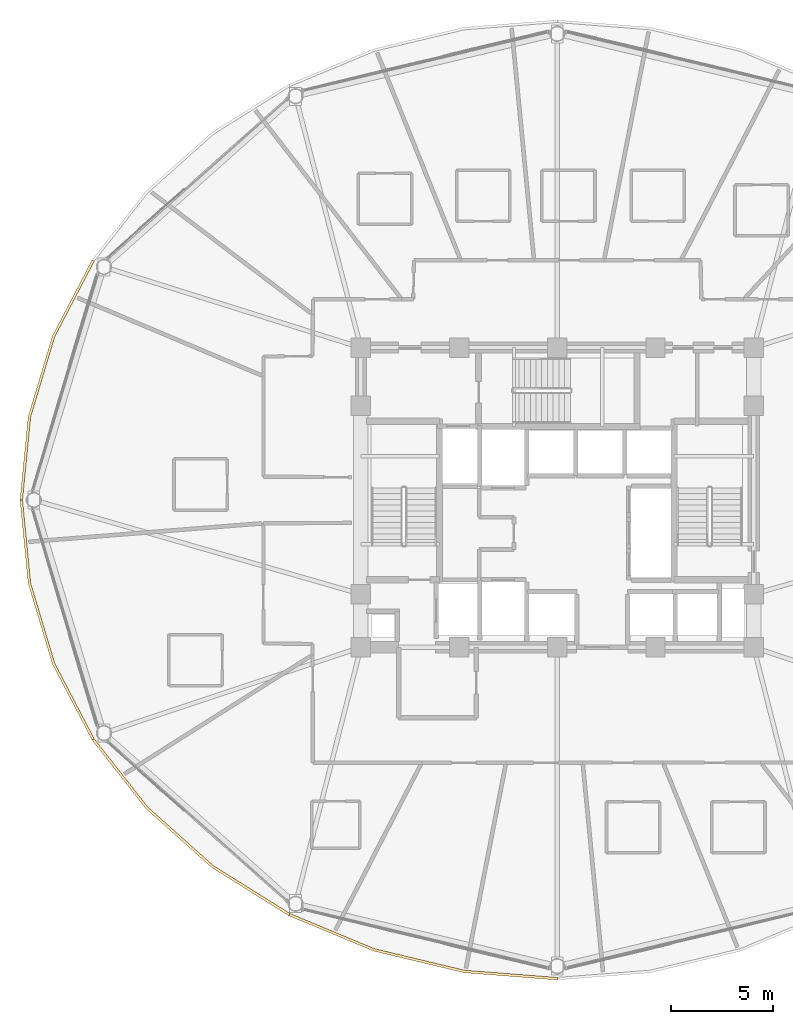
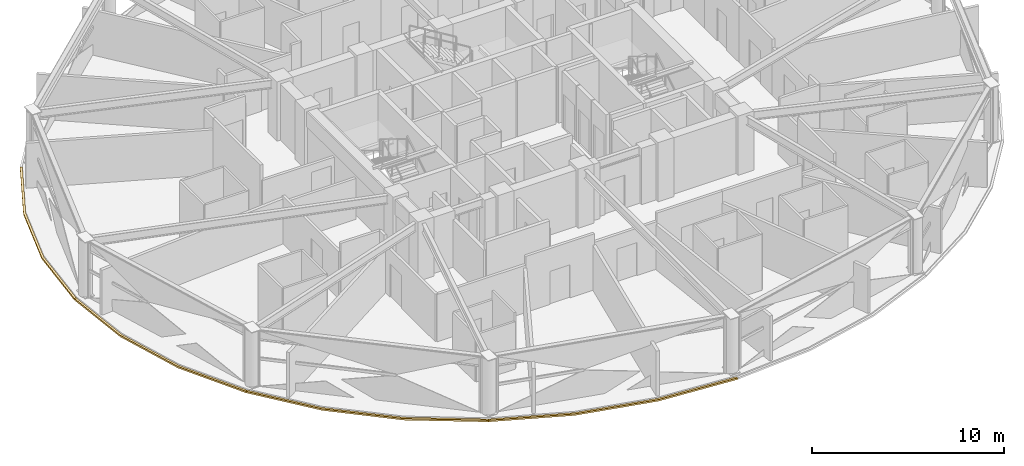
# One storey, part 29 of 32: 4 coverings.
"""IFC4 building model written with IfcOpenShell, lengths in metres."""

from ifc_helpers import new_model, si_unit, direction, frame, origin, place, context, subcontext, project, spatial, polyline, outline, extrude, material, layer, layer_set, type_object, element, save


model = new_model("IFC4")

# Units and contexts
model_context = context("Model", 3, precision=1e-05, world=origin(), true_north=direction((0.0, 1.0)))
body_context = subcontext(model_context, "Body", "Model", "MODEL_VIEW")
ifc_project = project(units=[si_unit("LENGTHUNIT", "METRE"), si_unit("AREAUNIT", "SQUARE_METRE"), si_unit("VOLUMEUNIT", "CUBIC_METRE"), si_unit("PLANEANGLEUNIT", "RADIAN"), si_unit("MASSUNIT", "GRAM", prefix="KILO")], contexts=[model_context])

# Site, building, storey
site_placement = place(None, origin())
site = spatial("IfcSite", under=ifc_project, at=site_placement, CompositionType="ELEMENT")
building_placement = place(site_placement, origin())
building = spatial("IfcBuilding", under=site, at=building_placement, Name="Vantalir Tower", CompositionType="ELEMENT")
storey_placement = place(building_placement, frame((0.0, 0.0, 108.449951171875)))
storey = spatial("IfcBuildingStorey", under=building, at=storey_placement, Name="L26", CompositionType="ELEMENT", Elevation=108.449951171875)

# Coverings
ifc_material = material(Name="Anodised champagne aluminium sill fascia", Category="aluminium")
ifc_layer = layer(ifc_material, 0.125)
ifc_layer_set = layer_set([ifc_layer], Name="Anodised champagne aluminium sill fascia")
covering_type = type_object("IfcCoveringType", Name="COV-SLAB-FASCIA-125", PredefinedType="CLADDING", material=ifc_layer_set)
covering_1_placement = place(storey_placement, frame((0.0, 0.0, -0.179931640625)))
element("IfcCovering", 1, at=covering_1_placement, inside=storey, type_object=covering_type, Name="L26 Perimeter Slab-Edge Sill Fascia 06", PredefinedType="CLADDING", context=body_context, shape_type="SweptSolid", body=[
    extrude(outline(polyline([(8.756103515625, 36.73095703125), (6.821044921875, 33.02490234375), (5.635986328125, 29.073974609375), (5.237060546875, 25.0), (5.362060546875, 25.0), (5.759033203125, 29.052978515625), (6.93798828125, 32.98193359375), (8.864013671875, 36.6689453125), (8.756103515625, 36.73095703125)])), origin(), (0.0, 0.0, 1.0), 0.10498046875),
])
covering_2_placement = place(storey_placement, frame((0.0, 0.0, -0.179931640625)))
element("IfcCovering", 2, at=covering_2_placement, inside=storey, type_object=covering_type, Name="L26 Perimeter Slab-Edge Sill Fascia 07", PredefinedType="CLADDING", context=body_context, shape_type="SweptSolid", body=[
    extrude(outline(polyline([(5.237060546875, 25.0), (5.635986328125, 20.926025390625), (6.821044921875, 16.97509765625), (8.756103515625, 13.26806640625), (8.864013671875, 13.3310546875), (6.93798828125, 17.01806640625), (5.759033203125, 20.947021484375), (5.362060546875, 25.0), (5.237060546875, 25.0)])), origin(), (0.0, 0.0, 1.0), 0.10498046875),
])
covering_3_placement = place(storey_placement, frame((0.0, 0.0, -0.179931640625)))
element("IfcCovering", 3, at=covering_3_placement, inside=storey, type_object=covering_type, Name="L26 Perimeter Slab-Edge Sill Fascia 08", PredefinedType="CLADDING", context=body_context, shape_type="SweptSolid", body=[
    extrude(outline(polyline([(8.756103515625, 13.26806640625), (11.381103515625, 9.91796875), (14.617919921875, 7.02587890625), (18.367919921875, 4.679931640625), (18.430908203125, 4.7890625), (14.698974609375, 7.1220703125), (11.47705078125, 9.9990234375), (8.864013671875, 13.3310546875), (8.756103515625, 13.26806640625)])), origin(), (0.0, 0.0, 1.0), 0.10498046875),
])
covering_4_placement = place(storey_placement, frame((0.0, 0.0, -0.179931640625)))
element("IfcCovering", 4, at=covering_4_placement, inside=storey, type_object=covering_type, Name="L26 Perimeter Slab-Edge Sill Fascia 09", PredefinedType="CLADDING", context=body_context, shape_type="SweptSolid", body=[
    extrude(outline(polyline([(18.367919921875, 4.679931640625), (22.51806640625, 2.951904296875), (26.93896484375, 1.89306640625), (31.5, 1.537109375), (31.5, 1.662109375), (26.9609375, 2.01708984375), (22.56005859375, 3.069091796875), (18.430908203125, 4.7890625), (18.367919921875, 4.679931640625)])), origin(), (0.0, 0.0, 1.0), 0.10498046875),
])

save(model, "model.ifc")
